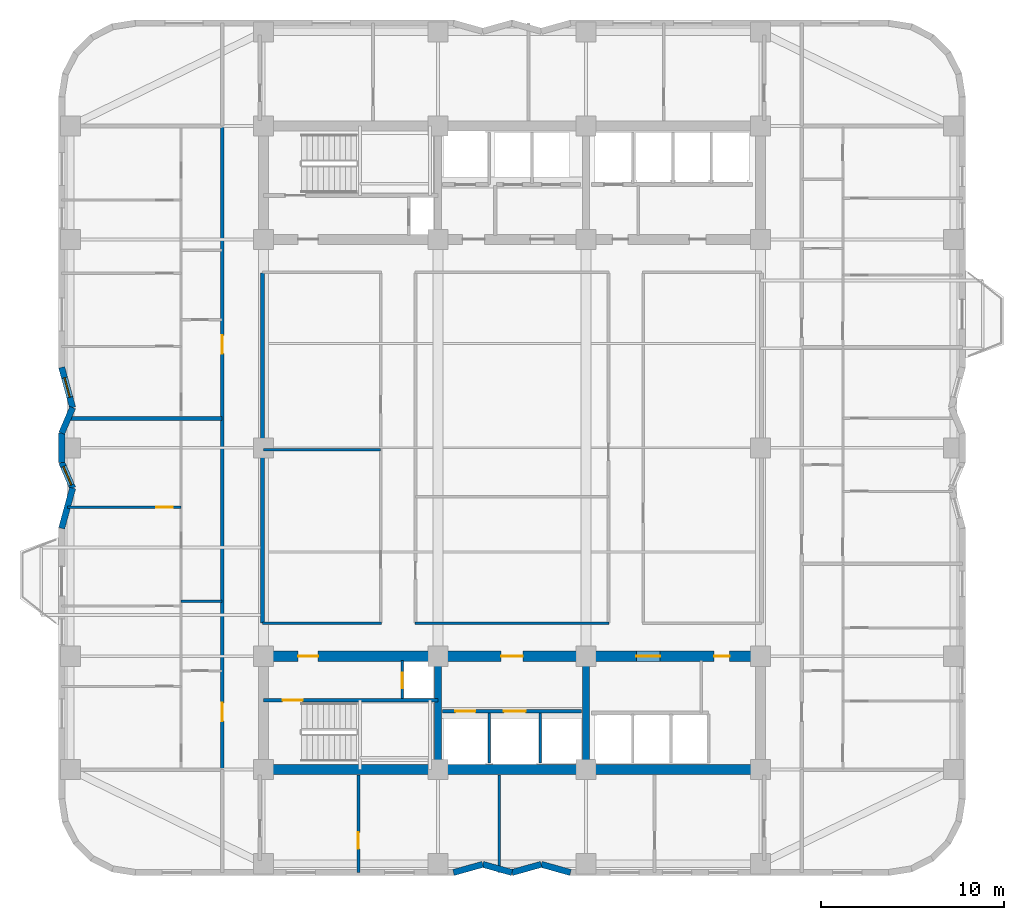
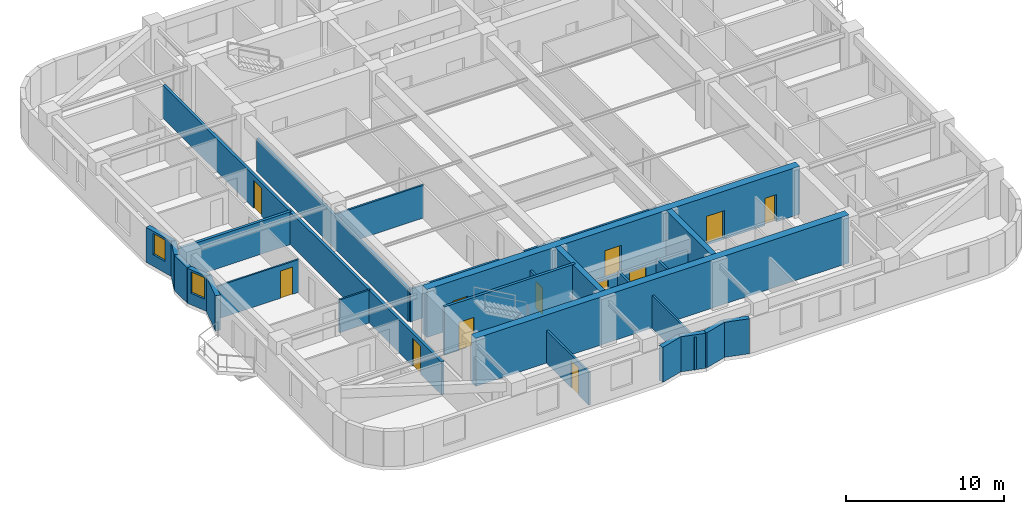
# One storey, part 3 of 9: 28 walls, 12 doors, 2 windows, 14 openings.
"""IFC4 building model written with IfcOpenShell, lengths in metres."""

from ifc_helpers import new_model, si_unit, direction, frame, frame_2d, origin, place, context, subcontext, project, spatial, rectangle, extrude, material, layer, layer_set, type_object, element, fill, save


model = new_model("IFC4")

# Units and contexts
model_context = context("Model", 3, precision=1e-05, world=origin(), true_north=direction((0.0, 1.0)))
body_context = subcontext(model_context, "Body", "Model", "MODEL_VIEW")
ifc_project = project(units=[si_unit("LENGTHUNIT", "METRE"), si_unit("AREAUNIT", "SQUARE_METRE"), si_unit("VOLUMEUNIT", "CUBIC_METRE"), si_unit("PLANEANGLEUNIT", "RADIAN"), si_unit("MASSUNIT", "GRAM", prefix="KILO")], contexts=[model_context])

# Site, building, storey
site_placement = place(None, origin())
site = spatial("IfcSite", under=ifc_project, at=site_placement, CompositionType="ELEMENT")
building_placement = place(site_placement, origin())
building = spatial("IfcBuilding", under=site, at=building_placement, Name="Svetorya Sky Lyceum", CompositionType="ELEMENT")
storey_placement = place(building_placement, frame((0.0, 0.0, 88.300048828125)))
storey = spatial("IfcBuildingStorey", under=building, at=storey_placement, Name="L21", CompositionType="ELEMENT", Elevation=88.300048828125)

# Walls
ifc_material_1 = material(Name="Concrete C40/50", Category="concrete")
ifc_layer_1 = layer(ifc_material_1, 0.39990234375)
ifc_layer_set_1 = layer_set([ifc_layer_1], Name="Concrete C40/50")
wall_type_1 = type_object("IfcWallType", Name="WL-CORE-400", PredefinedType="SHEAR", material=ifc_layer_set_1)
for number, where, z_axis, x_axis, name in (
    (1, (35.14990234375, 10.875, 0.0), (0.0, 0.0, 1.0), (0.0, 1.0, 0.0), "L21 SC Internal Shear Web WEB1"),
    (2, (43.25, 10.875, 0.0), (0.0, 0.0, 1.0), (0.0, 1.0, 0.0), "L21 SC Internal Shear Web WEB2"),
):
    element("IfcWall", number, at=place(storey_placement, frame(where, z_axis=z_axis, x_axis=x_axis)), inside=storey, type_object=wall_type_1, Name=name, PredefinedType="SHEAR", context=body_context, shape_type="SweptSolid", body=[
        extrude(rectangle(XDim=5.64990234375, YDim=0.39990234375, at=frame_2d((2.824951171875, 0.0))), origin(), (0.0, 0.0, 1.0), 3.699951171875),
    ])
ifc_material_2 = material(Name="Concrete C60/75", Category="concrete")
ifc_layer_2 = layer(ifc_material_2, 0.550048828125)
ifc_layer_set_2 = layer_set([ifc_layer_2], Name="Concrete C60/75")
wall_type_2 = type_object("IfcWallType", Name="WL-CORE-550", PredefinedType="SHEAR", material=ifc_layer_set_2)
wall_1_placement = place(storey_placement, frame((52.800048828125, 10.60009765625, 0.0), z_axis=(0.0, 0.0, 1.0), x_axis=(-1.0, 0.0, 0.0)))
element("IfcWall", 3, at=wall_1_placement, inside=storey, type_object=wall_type_2, Name="L21 SC Outer Core Shear Wall", PredefinedType="SHEAR", context=body_context, shape_type="SweptSolid", body=[
    extrude(rectangle(XDim=27.199951171875, YDim=0.550048828125, at=frame_2d((13.60009765625, 0.0))), origin(), (0.0, 0.0, 1.0), 3.699951171875),
])

# Wall, openings, doors
wall_2_placement = place(storey_placement, frame((25.60009765625, 16.800048828125, 0.0), z_axis=(0.0, 0.0, 1.0), x_axis=(1.0, 0.0, 0.0)))
wall_2 = element("IfcWall", 4, at=wall_2_placement, inside=storey, type_object=wall_type_2, Name="L21 SC Inner Core Shear Wall", PredefinedType="SHEAR", context=body_context, shape_type="SweptSolid", body=[
    extrude(rectangle(XDim=27.199951171875, YDim=0.550048828125, at=frame_2d((13.60009765625, 0.0))), origin(), (0.0, 0.0, 1.0), 3.699951171875),
])
opening_1_placement = place(wall_2_placement, frame((1.89990234375, 0.0, 0.0)))
opening_1 = element("IfcOpeningElement", 5, at=opening_1_placement, cuts=wall_2, Name="Opening D-ST1", PredefinedType="OPENING", context=body_context, shape_type="SweptSolid", body=[
    extrude(rectangle(XDim=1.10009765625, YDim=2.14990234375, at=frame_2d((0.550048828125, 1.074951171875))), frame((0.0, 0.284912109375, 0.0), z_axis=(0.0, -1.0, 0.0), x_axis=(1.0, 0.0, 0.0)), (0.0, 0.0, 1.0), 0.570068359375),
])
opening_2_placement = place(wall_2_placement, frame((13.0, 0.0, 0.0)))
opening_2 = element("IfcOpeningElement", 6, at=opening_2_placement, cuts=wall_2, Name="Opening D-FL1", PredefinedType="OPENING", context=body_context, shape_type="SweptSolid", body=[
    extrude(rectangle(XDim=1.199951171875, YDim=2.14990234375, at=frame_2d((0.60009765625, 1.074951171875))), frame((0.0, 0.284912109375, 0.0), z_axis=(0.0, -1.0, 0.0), x_axis=(1.0, 0.0, 0.0)), (0.0, 0.0, 1.0), 0.570068359375),
])
opening_3_placement = place(wall_2_placement, frame((20.39990234375, 0.0, 0.0)))
opening_3 = element("IfcOpeningElement", 7, at=opening_3_placement, cuts=wall_2, Name="Opening D-LB1", PredefinedType="OPENING", context=body_context, shape_type="SweptSolid", body=[
    extrude(rectangle(XDim=1.300048828125, YDim=2.199951171875, at=frame_2d((0.64990234375, 1.10009765625))), frame((0.0, 0.284912109375, 0.0), z_axis=(0.0, -1.0, 0.0), x_axis=(1.0, 0.0, 0.0)), (0.0, 0.0, 1.0), 0.570068359375),
])
opening_4_placement = place(wall_2_placement, frame((24.64990234375, 0.0, 0.0)))
opening_4 = element("IfcOpeningElement", 8, at=opening_4_placement, cuts=wall_2, Name="Opening D-CWC1", PredefinedType="OPENING", context=body_context, shape_type="SweptSolid", body=[
    extrude(rectangle(XDim=0.85009765625, YDim=2.10009765625, at=frame_2d((0.425048828125, 1.050048828125))), frame((0.0, 0.284912109375, 0.0), z_axis=(0.0, -1.0, 0.0), x_axis=(1.0, 0.0, 0.0)), (0.0, 0.0, 1.0), 0.570068359375),
])
ifc_material_3 = material(Name="Fire-rated galvanized steel core service closet door", Category="steel")
door_type_1 = type_object("IfcDoorType", Name="DR-CWET-850", OperationType="SINGLE_SWING_LEFT", PredefinedType="DOOR", material=ifc_material_3)
door_1_placement = place(opening_4_placement, origin())
door_1 = element("IfcDoor", 9, at=door_1_placement, inside=storey, type_object=door_type_1, Name="L21 South Core Auxiliary Door", OperationType="SINGLE_SWING_LEFT", OverallHeight=2.10009765625, OverallWidth=0.85009765625, PredefinedType="DOOR", context=body_context, shape_type="SweptSolid", body=[
    extrude(rectangle(XDim=0.85009765625, YDim=2.10009765625, at=frame_2d((0.425048828125, 1.050048828125))), frame((0.0, 0.02490234375, 0.0), z_axis=(0.0, -1.0, 0.0), x_axis=(1.0, 0.0, 0.0)), (0.0, 0.0, 1.0), 0.050048828125),
])
fill(opening_4, door_1)
ifc_material_4 = material(Name="Powder-coated insulated galvanized stair fire door")
door_type_2 = type_object("IfcDoorType", Name="DR-FIRE-1100", OperationType="SINGLE_SWING_LEFT", PredefinedType="DOOR", material=ifc_material_4)
door_2_placement = place(opening_1_placement, origin())
door_2 = element("IfcDoor", 10, at=door_2_placement, inside=storey, type_object=door_type_2, Name="L21 South Stair Airlock Door", OperationType="SINGLE_SWING_RIGHT", OverallHeight=2.14990234375, OverallWidth=1.10009765625, PredefinedType="DOOR", context=body_context, shape_type="SweptSolid", body=[
    extrude(rectangle(XDim=1.10009765625, YDim=2.14990234375, at=frame_2d((0.550048828125, 1.074951171875))), frame((0.0, 0.02490234375, 0.0), z_axis=(0.0, -1.0, 0.0), x_axis=(1.0, 0.0, 0.0)), (0.0, 0.0, 1.0), 0.050048828125),
])
fill(opening_1, door_2)
ifc_material_5 = material(Name="Powder-coated insulated galvanized fire door")
door_type_3 = type_object("IfcDoorType", Name="DR-FIRE-1200", OperationType="SINGLE_SWING_LEFT", PredefinedType="DOOR", material=ifc_material_5)
door_3_placement = place(opening_2_placement, origin())
door_3 = element("IfcDoor", 11, at=door_3_placement, inside=storey, type_object=door_type_3, Name="L21 South Firefighting Lift Lobby Door", OperationType="SINGLE_SWING_LEFT", OverallHeight=2.14990234375, OverallWidth=1.199951171875, PredefinedType="DOOR", context=body_context, shape_type="SweptSolid", body=[
    extrude(rectangle(XDim=1.199951171875, YDim=2.14990234375, at=frame_2d((0.60009765625, 1.074951171875))), frame((0.0, 0.02490234375, 0.0), z_axis=(0.0, -1.0, 0.0), x_axis=(1.0, 0.0, 0.0)), (0.0, 0.0, 1.0), 0.050048828125),
])
fill(opening_2, door_3)
ifc_material_6 = material(Name="Glazed fire-rated aluminium lobby door", Category="aluminium")
door_type_4 = type_object("IfcDoorType", Name="DR-LOB-1300", OperationType="SINGLE_SWING_LEFT", PredefinedType="DOOR", material=ifc_material_6)
door_4_placement = place(opening_3_placement, origin())
door_4 = element("IfcDoor", 12, at=door_4_placement, inside=storey, type_object=door_type_4, Name="L21 Low-Rise Lift Lobby Door", OperationType="SINGLE_SWING_RIGHT", OverallHeight=2.199951171875, OverallWidth=1.300048828125, PredefinedType="DOOR", context=body_context, shape_type="SweptSolid", body=[
    extrude(rectangle(XDim=1.300048828125, YDim=2.199951171875, at=frame_2d((0.64990234375, 1.10009765625))), frame((0.0, 0.02490234375, 0.0), z_axis=(0.0, -1.0, 0.0), x_axis=(1.0, 0.0, 0.0)), (0.0, 0.0, 1.0), 0.050048828125),
])
fill(opening_3, door_4)

# Walls
ifc_material_7 = material(Name="Putilovo limestone rainscreen on autoclaved cellular masonry", Category="masonry")
ifc_layer_3 = layer(ifc_material_7, 0.340087890625)
ifc_layer_set_3 = layer_set([ifc_layer_3], Name="Putilovo limestone rainscreen on autoclaved cellular masonry")
wall_type_3 = type_object("IfcWallType", Name="WL-EXT-340", PredefinedType="SOLIDWALL", material=ifc_layer_set_3)
wall_3_placement = place(storey_placement, frame((36.0, 4.969970703125, 0.0), z_axis=(0.0, 0.0, 1.0), x_axis=(0.962662902433, 0.270703040766, 0.0)))
element("IfcWall", 13, at=wall_3_placement, inside=storey, type_object=wall_type_3, Name="L21 Limestone Exterior Wall 7M", PredefinedType="SOLIDWALL", context=body_context, shape_type="SweptSolid", body=[
    extrude(rectangle(XDim=1.662109375, YDim=0.340087890625, at=frame_2d((0.8310546875, 0.0))), origin(), (0.0, 0.0, 1.0), 2.699951171875),
])
wall_4_placement = place(storey_placement, frame((37.60009765625, 5.419921875, 0.0), z_axis=(0.0, 0.0, 1.0), x_axis=(0.962652136636, -0.270741322725, 0.0)))
element("IfcWall", 14, at=wall_4_placement, inside=storey, type_object=wall_type_3, Name="L21 Limestone Exterior Wall 8M", PredefinedType="SOLIDWALL", context=body_context, shape_type="SweptSolid", body=[
    extrude(rectangle(XDim=1.661865234375, YDim=0.340087890625, at=frame_2d((0.8310546875, 0.0))), origin(), (0.0, 0.0, 1.0), 2.699951171875),
])
wall_5_placement = place(storey_placement, frame((39.199951171875, 4.969970703125, 0.0), z_axis=(0.0, 0.0, 1.0), x_axis=(0.962662902433, 0.270703040766, 0.0)))
element("IfcWall", 15, at=wall_5_placement, inside=storey, type_object=wall_type_3, Name="L21 Limestone Exterior Wall 9M", PredefinedType="SOLIDWALL", context=body_context, shape_type="SweptSolid", body=[
    extrude(rectangle(XDim=1.662109375, YDim=0.340087890625, at=frame_2d((0.8310546875, 0.0))), origin(), (0.0, 0.0, 1.0), 2.699951171875),
])
wall_6_placement = place(storey_placement, frame((40.800048828125, 5.419921875, 0.0), z_axis=(0.0, 0.0, 1.0), x_axis=(0.962652136636, -0.270741322725, 0.0)))
element("IfcWall", 16, at=wall_6_placement, inside=storey, type_object=wall_type_3, Name="L21 Limestone Exterior Wall 10M", PredefinedType="SOLIDWALL", context=body_context, shape_type="SweptSolid", body=[
    extrude(rectangle(XDim=1.661865234375, YDim=0.340087890625, at=frame_2d((0.8310546875, 0.0))), origin(), (0.0, 0.0, 1.0), 2.699951171875),
])

# Wall, opening, window
wall_7_placement = place(storey_placement, frame((14.570068359375, 32.60009765625, 0.0), z_axis=(0.0, 0.0, 1.0), x_axis=(0.263035877812, -0.96478605244, 0.0)))
wall_7 = element("IfcWall", 17, at=wall_7_placement, inside=storey, type_object=wall_type_3, Name="L21 Limestone Exterior Wall 41M", PredefinedType="SOLIDWALL", context=body_context, shape_type="SweptSolid", body=[
    extrude(rectangle(XDim=2.280517578125, YDim=0.340087890625, at=frame_2d((1.14013671875, 0.0))), origin(), (0.0, 0.0, 1.0), 2.699951171875),
])
opening_5_placement = place(wall_7_placement, frame((0.590087890625, 0.0, 0.889892578125)))
opening_5 = element("IfcOpeningElement", 18, at=opening_5_placement, cuts=wall_7, Name="Opening W-R3", PredefinedType="OPENING", context=body_context, shape_type="SweptSolid", body=[
    extrude(rectangle(XDim=1.10009765625, YDim=1.64990234375, at=frame_2d((0.550048828125, 0.824951171875))), frame((0.0, 0.179931640625, 0.0), z_axis=(0.0, -1.0, 0.0), x_axis=(1.0, 0.0, 0.0)), (0.0, 0.0, 1.0), 0.360107421875),
])
ifc_material_8 = material(Name="Thermally broken aluminium frame with triple low-E glazing", Category="aluminium")
window_type = type_object("IfcWindowType", Name="WN-RES-110", PartitioningType="SINGLE_PANEL", PredefinedType="WINDOW", material=ifc_material_8)
window_1_placement = place(opening_5_placement, origin())
window_1 = element("IfcWindow", 19, at=window_1_placement, inside=storey, type_object=window_type, Name="L21 Facade Window W-R3.41M.1", OverallHeight=1.64990234375, OverallWidth=1.10009765625, PartitioningType="SINGLE_PANEL", PredefinedType="WINDOW", context=body_context, shape_type="SweptSolid", body=[
    extrude(rectangle(XDim=1.10009765625, YDim=1.64990234375, at=frame_2d((0.550048828125, 0.824951171875))), frame((0.0, 0.030029296875, 0.0), z_axis=(0.0, -1.0, 0.0), x_axis=(1.0, 0.0, 0.0)), (0.0, 0.0, 1.0), 0.06005859375),
])
fill(opening_5, window_1)

# Walls
wall_8_placement = place(storey_placement, frame((15.169921875, 30.39990234375, 0.0), z_axis=(0.0, 0.0, 1.0), x_axis=(-0.393861257526, -0.919169902586, 0.0)))
element("IfcWall", 20, at=wall_8_placement, inside=storey, type_object=wall_type_3, Name="L21 Limestone Exterior Wall 42M", PredefinedType="SOLIDWALL", context=body_context, shape_type="SweptSolid", body=[
    extrude(rectangle(XDim=1.52294921875, YDim=0.340087890625, at=frame_2d((0.761474609375, 0.0))), origin(), (0.0, 0.0, 1.0), 2.699951171875),
])
wall_9_placement = place(storey_placement, frame((14.570068359375, 29.0, 0.0), z_axis=(0.0, 0.0, 1.0), x_axis=(0.0, -1.0, 0.0)))
element("IfcWall", 21, at=wall_9_placement, inside=storey, type_object=wall_type_3, Name="L21 Limestone Exterior Wall 43M", PredefinedType="SOLIDWALL", context=body_context, shape_type="SweptSolid", body=[
    extrude(rectangle(XDim=1.60009765625, YDim=0.340087890625, at=frame_2d((0.800048828125, 0.0))), origin(), (0.0, 0.0, 1.0), 2.699951171875),
])

# Wall, opening, window
wall_10_placement = place(storey_placement, frame((14.570068359375, 27.39990234375, 0.0), z_axis=(0.0, 0.0, 1.0), x_axis=(0.393861257526, -0.919169902586, 0.0)))
wall_10 = element("IfcWall", 22, at=wall_10_placement, inside=storey, type_object=wall_type_3, Name="L21 Limestone Exterior Wall 44M", PredefinedType="SOLIDWALL", context=body_context, shape_type="SweptSolid", body=[
    extrude(rectangle(XDim=1.52294921875, YDim=0.340087890625, at=frame_2d((0.761474609375, 0.0))), origin(), (0.0, 0.0, 1.0), 2.699951171875),
])
opening_6_placement = place(wall_10_placement, frame((0.239990234375, 0.0, 0.889892578125)))
opening_6 = element("IfcOpeningElement", 23, at=opening_6_placement, cuts=wall_10, Name="Opening W-R3", PredefinedType="OPENING", context=body_context, shape_type="SweptSolid", body=[
    extrude(rectangle(XDim=1.10009765625, YDim=1.64990234375, at=frame_2d((0.550048828125, 0.824951171875))), frame((0.0, 0.179931640625, 0.0), z_axis=(0.0, -1.0, 0.0), x_axis=(1.0, 0.0, 0.0)), (0.0, 0.0, 1.0), 0.360107421875),
])
window_2_placement = place(opening_6_placement, origin())
window_2 = element("IfcWindow", 24, at=window_2_placement, inside=storey, type_object=window_type, Name="L21 Facade Window W-R3.44M.1", OverallHeight=1.64990234375, OverallWidth=1.10009765625, PartitioningType="SINGLE_PANEL", PredefinedType="WINDOW", context=body_context, shape_type="SweptSolid", body=[
    extrude(rectangle(XDim=1.10009765625, YDim=1.64990234375, at=frame_2d((0.550048828125, 0.824951171875))), frame((0.0, 0.030029296875, 0.0), z_axis=(0.0, -1.0, 0.0), x_axis=(1.0, 0.0, 0.0)), (0.0, 0.0, 1.0), 0.06005859375),
])
fill(opening_6, window_2)

# Wall
wall_11_placement = place(storey_placement, frame((15.169921875, 26.0, 0.0), z_axis=(0.0, 0.0, 1.0), x_axis=(-0.2630630484, -0.964778644336, 0.0)))
element("IfcWall", 25, at=wall_11_placement, inside=storey, type_object=wall_type_3, Name="L21 Limestone Exterior Wall 45M", PredefinedType="SOLIDWALL", context=body_context, shape_type="SweptSolid", body=[
    extrude(rectangle(XDim=2.2802734375, YDim=0.340087890625, at=frame_2d((1.14013671875, 0.0))), origin(), (0.0, 0.0, 1.0), 2.699951171875),
])

# Wall, opening, door
ifc_material_9 = material(Name="Twin-stud galvanized framing with double fireboard", Category="gypsum")
ifc_layer_4 = layer(ifc_material_9, 0.1201171875)
ifc_layer_set_4 = layer_set([ifc_layer_4], Name="Twin-stud galvanized framing with double fireboard")
wall_type_4 = type_object("IfcWallType", Name="WL-PART-120", PredefinedType="PARTITIONING", material=ifc_layer_set_4)
wall_12_placement = place(storey_placement, frame((14.883544921875, 24.949951171875, 0.0), z_axis=(0.0, 0.0, 1.0), x_axis=(1.0, 0.0, 0.0)))
wall_12 = element("IfcWall", 26, at=wall_12_placement, inside=storey, type_object=wall_type_4, Name="L21 Interior Partition W1-WL3", PredefinedType="PARTITIONING", context=body_context, shape_type="SweptSolid", body=[
    extrude(rectangle(XDim=6.216552734375, YDim=0.1201171875, at=frame_2d((3.1083984375, 0.0))), origin(), (0.0, 0.0, 1.0), 2.530029296875),
])
opening_7_placement = place(wall_12_placement, frame((4.866455078125, 0.0, 0.0)))
opening_7 = element("IfcOpeningElement", 27, at=opening_7_placement, cuts=wall_12, Name="Opening D-RM1", PredefinedType="OPENING", context=body_context, shape_type="SweptSolid", body=[
    extrude(rectangle(XDim=0.89990234375, YDim=2.10009765625, at=frame_2d((0.449951171875, 1.050048828125))), frame((0.0, 0.070068359375, 0.0), z_axis=(0.0, -1.0, 0.0), x_axis=(1.0, 0.0, 0.0)), (0.0, 0.0, 1.0), 0.14013671875),
])
ifc_material_10 = material(Name="Lacquered birch veneer internal door")
door_type_5 = type_object("IfcDoorType", Name="DR-INT-900", OperationType="SINGLE_SWING_LEFT", PredefinedType="DOOR", material=ifc_material_10)
door_5_placement = place(opening_7_placement, origin())
door_5 = element("IfcDoor", 28, at=door_5_placement, inside=storey, type_object=door_type_5, Name="Apartment W1 Bedroom 3 Door", OperationType="SINGLE_SWING_LEFT", OverallHeight=2.10009765625, OverallWidth=0.89990234375, PredefinedType="DOOR", context=body_context, shape_type="SweptSolid", body=[
    extrude(rectangle(XDim=0.89990234375, YDim=2.10009765625, at=frame_2d((0.449951171875, 1.050048828125))), frame((0.0, 0.02490234375, 0.0), z_axis=(0.0, -1.0, 0.0), x_axis=(1.0, 0.0, 0.0)), (0.0, 0.0, 1.0), 0.050048828125),
])
fill(opening_7, door_5)

# Walls
ifc_material_11 = material(Name="Twin-stud galvanized framing with acoustic board", Category="gypsum")
ifc_layer_5 = layer(ifc_material_11, 0.135009765625)
ifc_layer_set_5 = layer_set([ifc_layer_5], Name="Twin-stud galvanized framing with acoustic board")
wall_type_5 = type_object("IfcWallType", Name="WL-PART-135", PredefinedType="PARTITIONING", material=ifc_layer_set_5)
wall_13_placement = place(storey_placement, frame((25.60009765625, 28.10009765625, 0.0), z_axis=(0.0, 0.0, 1.0), x_axis=(1.0, 0.0, 0.0)))
element("IfcWall", 29, at=wall_13_placement, inside=storey, type_object=wall_type_5, Name="L21 Interior Partition ISL-HMW", PredefinedType="PARTITIONING", context=body_context, shape_type="SweptSolid", body=[
    extrude(rectangle(XDim=6.419921875, YDim=0.135009765625, at=frame_2d((3.2099609375, 0.0))), origin(), (0.0, 0.0, 1.0), 2.530029296875),
])
wall_14_placement = place(storey_placement, frame((21.10009765625, 19.800048828125, 0.0), z_axis=(0.0, 0.0, 1.0), x_axis=(1.0, 0.0, 0.0)))
element("IfcWall", 30, at=wall_14_placement, inside=storey, type_object=wall_type_5, Name="L21 Interior Partition W1-WH2", PredefinedType="PARTITIONING", context=body_context, shape_type="SweptSolid", body=[
    extrude(rectangle(XDim=2.25, YDim=0.135009765625, at=frame_2d((1.125, 0.0))), origin(), (0.0, 0.0, 1.0), 2.530029296875),
])

# Wall, opening, door
ifc_material_12 = material(Name="Autoclaved cellular masonry blockwork with acoustic render", Category="masonry")
ifc_layer_6 = layer(ifc_material_12, 0.14990234375)
ifc_layer_set_6 = layer_set([ifc_layer_6], Name="Autoclaved cellular masonry blockwork with acoustic render")
wall_type_6 = type_object("IfcWallType", Name="WL-PART-150", PredefinedType="PARTITIONING", material=ifc_layer_set_6)
wall_15_placement = place(storey_placement, frame((33.199951171875, 14.5, 0.0), z_axis=(0.0, 0.0, 1.0), x_axis=(0.0, 1.0, 0.0)))
wall_15 = element("IfcWall", 31, at=wall_15_placement, inside=storey, type_object=wall_type_6, Name="L21 Interior Partition SC-AIRDIV", PredefinedType="PARTITIONING", context=body_context, shape_type="SweptSolid", body=[
    extrude(rectangle(XDim=2.080078125, YDim=0.14990234375, at=frame_2d((1.0400390625, 0.0))), origin(), (0.0, 0.0, 1.0), 2.530029296875),
])
opening_8_placement = place(wall_15_placement, frame((0.550048828125, 0.0, 0.0)))
opening_8 = element("IfcOpeningElement", 32, at=opening_8_placement, cuts=wall_15, Name="Opening D-SH1", PredefinedType="OPENING", context=body_context, shape_type="SweptSolid", body=[
    extrude(rectangle(XDim=0.85009765625, YDim=2.050048828125, at=frame_2d((0.425048828125, 1.02490234375))), frame((0.0, 0.0849609375, 0.0), z_axis=(0.0, -1.0, 0.0), x_axis=(1.0, 0.0, 0.0)), (0.0, 0.0, 1.0), 0.169921875),
])
ifc_material_13 = material(Name="Insulated galvanized riser inspection fire door")
door_type_6 = type_object("IfcDoorType", Name="DR-SHFT-850", OperationType="SINGLE_SWING_LEFT", PredefinedType="TRAPDOOR", material=ifc_material_13)
door_6_placement = place(opening_8_placement, origin())
door_6 = element("IfcDoor", 33, at=door_6_placement, inside=storey, type_object=door_type_6, Name="L21 South Riser Access Door", OperationType="SINGLE_SWING_RIGHT", OverallHeight=2.050048828125, OverallWidth=0.85009765625, PredefinedType="TRAPDOOR", context=body_context, shape_type="SweptSolid", body=[
    extrude(rectangle(XDim=0.85009765625, YDim=2.050048828125, at=frame_2d((0.425048828125, 1.02490234375))), frame((0.0, 0.02490234375, 0.0), z_axis=(0.0, -1.0, 0.0), x_axis=(1.0, 0.0, 0.0)), (0.0, 0.0, 1.0), 0.050048828125),
])
fill(opening_8, door_6)

# Walls
for number, where, z_axis, x_axis, name in (
    (34, (37.949951171875, 10.949951171875, 0.0), (0.0, 0.0, 1.0), (0.0, 1.0, 0.0), "L21 Interior Partition SC-SHD1"),
    (35, (40.75, 10.949951171875, 0.0), (0.0, 0.0, 1.0), (0.0, 1.0, 0.0), "L21 Interior Partition SC-SHD2"),
):
    element("IfcWall", number, at=place(storey_placement, frame(where, z_axis=z_axis, x_axis=x_axis)), inside=storey, type_object=wall_type_6, Name=name, PredefinedType="PARTITIONING", context=body_context, shape_type="SweptSolid", body=[
        extrude(rectangle(XDim=2.75, YDim=0.14990234375, at=frame_2d((1.375, 0.0))), origin(), (0.0, 0.0, 1.0), 2.530029296875),
    ])
wall_16_placement = place(storey_placement, frame((25.550048828125, 18.60009765625, 0.0), z_axis=(0.0, 0.0, 1.0), x_axis=(1.0, 0.0, 0.0)))
element("IfcWall", 36, at=wall_16_placement, inside=storey, type_object=wall_type_6, Name="L21 Interior Partition RL-CS-W", PredefinedType="PARTITIONING", context=body_context, shape_type="SweptSolid", body=[
    extrude(rectangle(XDim=6.5, YDim=0.14990234375, at=frame_2d((3.25, 0.0))), origin(), (0.0, 0.0, 1.0), 2.530029296875),
])
wall_17_placement = place(storey_placement, frame((33.89990234375, 18.60009765625, 0.0), z_axis=(0.0, 0.0, 1.0), x_axis=(1.0, 0.0, 0.0)))
element("IfcWall", 37, at=wall_17_placement, inside=storey, type_object=wall_type_6, Name="L21 Interior Partition RL-CS-M", PredefinedType="PARTITIONING", context=body_context, shape_type="SweptSolid", body=[
    extrude(rectangle(XDim=10.60009765625, YDim=0.14990234375, at=frame_2d((5.300048828125, 0.0))), origin(), (0.0, 0.0, 1.0), 2.530029296875),
])

# Wall, opening, door
wall_18_placement = place(storey_placement, frame((30.800048828125, 4.969970703125, 0.0), z_axis=(0.0, 0.0, 1.0), x_axis=(0.0, 1.0, 0.0)))
wall_18 = element("IfcWall", 38, at=wall_18_placement, inside=storey, type_object=wall_type_6, Name="L21 Interior Partition S4-D1", PredefinedType="PARTITIONING", context=body_context, shape_type="SweptSolid", body=[
    extrude(rectangle(XDim=5.330078125, YDim=0.14990234375, at=frame_2d((2.6650390625, 0.0))), origin(), (0.0, 0.0, 1.0), 2.530029296875),
])
opening_9_placement = place(wall_18_placement, frame((1.300048828125, 0.0, 0.0)))
opening_9 = element("IfcOpeningElement", 39, at=opening_9_placement, cuts=wall_18, Name="Opening D-RM1", PredefinedType="OPENING", context=body_context, shape_type="SweptSolid", body=[
    extrude(rectangle(XDim=0.89990234375, YDim=2.10009765625, at=frame_2d((0.449951171875, 1.050048828125))), frame((0.0, 0.0849609375, 0.0), z_axis=(0.0, -1.0, 0.0), x_axis=(1.0, 0.0, 0.0)), (0.0, 0.0, 1.0), 0.169921875),
])
door_7_placement = place(opening_9_placement, origin())
door_7 = element("IfcDoor", 40, at=door_7_placement, inside=storey, type_object=door_type_5, Name="L21 South Suite Door 1", OperationType="SINGLE_SWING_LEFT", OverallHeight=2.10009765625, OverallWidth=0.89990234375, PredefinedType="DOOR", context=body_context, shape_type="SweptSolid", body=[
    extrude(rectangle(XDim=0.89990234375, YDim=2.10009765625, at=frame_2d((0.449951171875, 1.050048828125))), frame((0.0, 0.02490234375, 0.0), z_axis=(0.0, -1.0, 0.0), x_axis=(1.0, 0.0, 0.0)), (0.0, 0.0, 1.0), 0.050048828125),
])
fill(opening_9, door_7)

# Wall
wall_19_placement = place(storey_placement, frame((38.5, 4.969970703125, 0.0), z_axis=(0.0, 0.0, 1.0), x_axis=(0.0, 1.0, 0.0)))
element("IfcWall", 41, at=wall_19_placement, inside=storey, type_object=wall_type_6, Name="L21 Interior Partition S4-D2", PredefinedType="PARTITIONING", context=body_context, shape_type="SweptSolid", body=[
    extrude(rectangle(XDim=5.330078125, YDim=0.14990234375, at=frame_2d((2.6650390625, 0.0))), origin(), (0.0, 0.0, 1.0), 2.530029296875),
])

# Wall, openings, doors
ifc_material_14 = material(Name="Autoclaved cellular masonry blockwork with gypsum plaster", Category="masonry")
ifc_layer_7 = layer(ifc_material_14, 0.199951171875)
ifc_layer_set_7 = layer_set([ifc_layer_7], Name="Autoclaved cellular masonry blockwork with gypsum plaster")
wall_type_7 = type_object("IfcWallType", Name="WL-PART-200", PredefinedType="PARTITIONING", material=ifc_layer_set_7)
wall_20_placement = place(storey_placement, frame((35.39990234375, 13.800048828125, 0.0), z_axis=(0.0, 0.0, 1.0), x_axis=(1.0, 0.0, 0.0)))
wall_20 = element("IfcWall", 42, at=wall_20_placement, inside=storey, type_object=wall_type_7, Name="L21 Interior Partition SC-FLW", PredefinedType="PARTITIONING", context=body_context, shape_type="SweptSolid", body=[
    extrude(rectangle(XDim=7.60009765625, YDim=0.199951171875, at=frame_2d((3.800048828125, 0.0))), origin(), (0.0, 0.0, 1.0), 2.300048828125),
])
opening_10_placement = place(wall_20_placement, frame((0.699951171875, 0.0, 0.0)))
opening_10 = element("IfcOpeningElement", 43, at=opening_10_placement, cuts=wall_20, Name="Opening LD-FL", PredefinedType="OPENING", context=body_context, shape_type="SweptSolid", body=[
    extrude(rectangle(XDim=1.10009765625, YDim=2.14990234375, at=frame_2d((0.550048828125, 1.074951171875))), frame((0.0, 0.10986328125, 0.0), z_axis=(0.0, -1.0, 0.0), x_axis=(1.0, 0.0, 0.0)), (0.0, 0.0, 1.0), 0.219970703125),
])
opening_11_placement = place(wall_20_placement, frame((3.35009765625, 0.0, 0.0)))
opening_11 = element("IfcOpeningElement", 44, at=opening_11_placement, cuts=wall_20, Name="Opening LD-SV", PredefinedType="OPENING", context=body_context, shape_type="SweptSolid", body=[
    extrude(rectangle(XDim=1.199951171875, YDim=2.14990234375, at=frame_2d((0.60009765625, 1.074951171875))), frame((0.0, 0.10986328125, 0.0), z_axis=(0.0, -1.0, 0.0), x_axis=(1.0, 0.0, 0.0)), (0.0, 0.0, 1.0), 0.219970703125),
])
ifc_material_15 = material(Name="Fire-rated stainless AISI 304 firefighting lift landing door")
door_type_7 = type_object("IfcDoorType", Name="DR-LIFT-1100", OperationType="SLIDING_TO_LEFT", PredefinedType="DOOR", material=ifc_material_15)
door_8_placement = place(opening_10_placement, origin())
door_8 = element("IfcDoor", 45, at=door_8_placement, inside=storey, type_object=door_type_7, Name="L21 Firefighting Lift FL2 Landing Door", OperationType="SLIDING_TO_LEFT", OverallHeight=2.14990234375, OverallWidth=1.10009765625, PredefinedType="DOOR", context=body_context, shape_type="SweptSolid", body=[
    extrude(rectangle(XDim=1.10009765625, YDim=2.14990234375, at=frame_2d((0.550048828125, 1.074951171875))), frame((0.0, 0.02490234375, 0.0), z_axis=(0.0, -1.0, 0.0), x_axis=(1.0, 0.0, 0.0)), (0.0, 0.0, 1.0), 0.050048828125),
])
fill(opening_10, door_8)
ifc_material_16 = material(Name="Brushed stainless AISI 304 telescopic lift landing door")
door_type_8 = type_object("IfcDoorType", Name="DR-LIFT-1200", OperationType="SLIDING_TO_LEFT", PredefinedType="DOOR", material=ifc_material_16)
door_9_placement = place(opening_11_placement, origin())
door_9 = element("IfcDoor", 46, at=door_9_placement, inside=storey, type_object=door_type_8, Name="L21 Service Lift SVL1 Landing Door", OperationType="SLIDING_TO_LEFT", OverallHeight=2.14990234375, OverallWidth=1.199951171875, PredefinedType="DOOR", context=body_context, shape_type="SweptSolid", body=[
    extrude(rectangle(XDim=1.199951171875, YDim=2.14990234375, at=frame_2d((0.60009765625, 1.074951171875))), frame((0.0, 0.02490234375, 0.0), z_axis=(0.0, -1.0, 0.0), x_axis=(1.0, 0.0, 0.0)), (0.0, 0.0, 1.0), 0.050048828125),
])
fill(opening_11, door_9)

# Walls
wall_21_placement = place(storey_placement, frame((25.550048828125, 18.6298828125, 0.0), z_axis=(0.0, 0.0, 1.0), x_axis=(0.0, 1.0, 0.0)))
element("IfcWall", 47, at=wall_21_placement, inside=storey, type_object=wall_type_7, Name="L21 Interior Partition W-CEN-SEP", PredefinedType="PARTITIONING", context=body_context, shape_type="SweptSolid", body=[
    extrude(rectangle(XDim=19.14013671875, YDim=0.199951171875, at=frame_2d((9.570068359375, 0.0))), origin(), (0.0, 0.0, 1.0), 2.530029296875),
])
wall_22_placement = place(storey_placement, frame((14.912841796875, 29.800048828125, 0.0), z_axis=(0.0, 0.0, 1.0), x_axis=(1.0, 0.0, 0.0)))
element("IfcWall", 48, at=wall_22_placement, inside=storey, type_object=wall_type_7, Name="L21 Interior Partition W-PARTY-1", PredefinedType="PARTITIONING", context=body_context, shape_type="SweptSolid", body=[
    extrude(rectangle(XDim=8.437255859375, YDim=0.199951171875, at=frame_2d((4.21875, 0.0))), origin(), (0.0, 0.0, 1.0), 2.530029296875),
])

# Wall, openings, doors
wall_23_placement = place(storey_placement, frame((23.35009765625, 10.60009765625, 0.0), z_axis=(0.0, 0.0, 1.0), x_axis=(0.0, 1.0, 0.0)))
wall_23 = element("IfcWall", 49, at=wall_23_placement, inside=storey, type_object=wall_type_7, Name="L21 Interior Partition W-CORRW", PredefinedType="PARTITIONING", context=body_context, shape_type="SweptSolid", body=[
    extrude(rectangle(XDim=35.199951171875, YDim=0.199951171875, at=frame_2d((17.60009765625, 0.0))), origin(), (0.0, 0.0, 1.0), 2.530029296875),
])
opening_12_placement = place(wall_23_placement, frame((2.64990234375, 0.0, 0.0)))
opening_12 = element("IfcOpeningElement", 50, at=opening_12_placement, cuts=wall_23, Name="Opening D-APT1", PredefinedType="OPENING", context=body_context, shape_type="SweptSolid", body=[
    extrude(rectangle(XDim=1.0, YDim=2.14990234375, at=frame_2d((0.5, 1.074951171875))), frame((0.0, 0.10986328125, 0.0), z_axis=(0.0, -1.0, 0.0), x_axis=(1.0, 0.0, 0.0)), (0.0, 0.0, 1.0), 0.219970703125),
])
opening_13_placement = place(wall_23_placement, frame((22.75, 0.0, 0.0)))
opening_13 = element("IfcOpeningElement", 51, at=opening_13_placement, cuts=wall_23, Name="Opening D-APT1", PredefinedType="OPENING", context=body_context, shape_type="SweptSolid", body=[
    extrude(rectangle(XDim=1.0, YDim=2.14990234375, at=frame_2d((0.5, 1.074951171875))), frame((0.0, 0.10986328125, 0.0), z_axis=(0.0, -1.0, 0.0), x_axis=(1.0, 0.0, 0.0)), (0.0, 0.0, 1.0), 0.219970703125),
])
ifc_material_17 = material(Name="Insulated oak-veneered apartment entrance door")
door_type_9 = type_object("IfcDoorType", Name="DR-APT-1000", OperationType="SINGLE_SWING_LEFT", PredefinedType="DOOR", material=ifc_material_17)
door_10_placement = place(opening_12_placement, origin())
door_10 = element("IfcDoor", 52, at=door_10_placement, inside=storey, type_object=door_type_9, Name="L21 Apartment W1 Entrance Door", OperationType="SINGLE_SWING_LEFT", OverallHeight=2.14990234375, OverallWidth=1.0, PredefinedType="DOOR", context=body_context, shape_type="SweptSolid", body=[
    extrude(rectangle(XDim=1.0, YDim=2.14990234375, at=frame_2d((0.5, 1.074951171875))), frame((0.0, 0.02490234375, 0.0), z_axis=(0.0, -1.0, 0.0), x_axis=(1.0, 0.0, 0.0)), (0.0, 0.0, 1.0), 0.050048828125),
])
fill(opening_12, door_10)
door_11_placement = place(opening_13_placement, origin())
door_11 = element("IfcDoor", 53, at=door_11_placement, inside=storey, type_object=door_type_9, Name="L21 Apartment W2 Entrance Door", OperationType="SINGLE_SWING_RIGHT", OverallHeight=2.14990234375, OverallWidth=1.0, PredefinedType="DOOR", context=body_context, shape_type="SweptSolid", body=[
    extrude(rectangle(XDim=1.0, YDim=2.14990234375, at=frame_2d((0.5, 1.074951171875))), frame((0.0, 0.02490234375, 0.0), z_axis=(0.0, -1.0, 0.0), x_axis=(1.0, 0.0, 0.0)), (0.0, 0.0, 1.0), 0.050048828125),
])
fill(opening_13, door_11)

# Wall, opening, door
ifc_material_18 = material(Name="Concrete C50/60", Category="concrete")
ifc_layer_8 = layer(ifc_material_18, 0.199951171875)
ifc_layer_set_8 = layer_set([ifc_layer_8], Name="Concrete C50/60")
wall_type_8 = type_object("IfcWallType", Name="WL-SHW-200", PredefinedType="SHEAR", material=ifc_layer_set_8)
wall_24_placement = place(storey_placement, frame((25.60009765625, 14.39990234375, 0.0), z_axis=(0.0, 0.0, 1.0), x_axis=(1.0, 0.0, 0.0)))
wall_24 = element("IfcWall", 54, at=wall_24_placement, inside=storey, type_object=wall_type_8, Name="L21 Structural Stair Shaft Wall SC-STW", PredefinedType="SHEAR", context=body_context, shape_type="SweptSolid", body=[
    extrude(rectangle(XDim=9.5498046875, YDim=0.199951171875, at=frame_2d((4.77490234375, 0.0))), origin(), (0.0, 0.0, 1.0), 3.699951171875),
])
opening_14_placement = place(wall_24_placement, frame((1.050048828125, 0.0, 0.0)))
opening_14 = element("IfcOpeningElement", 55, at=opening_14_placement, cuts=wall_24, Name="Opening D-ST1", PredefinedType="OPENING", context=body_context, shape_type="SweptSolid", body=[
    extrude(rectangle(XDim=1.10009765625, YDim=2.14990234375, at=frame_2d((0.550048828125, 1.074951171875))), frame((0.0, 0.10986328125, 0.0), z_axis=(0.0, -1.0, 0.0), x_axis=(1.0, 0.0, 0.0)), (0.0, 0.0, 1.0), 0.219970703125),
])
door_12_placement = place(opening_14_placement, origin())
door_12 = element("IfcDoor", 56, at=door_12_placement, inside=storey, type_object=door_type_2, Name="L21 Stair ST-S Vestibule Fire Door", OperationType="SINGLE_SWING_LEFT", OverallHeight=2.14990234375, OverallWidth=1.10009765625, PredefinedType="DOOR", context=body_context, shape_type="SweptSolid", body=[
    extrude(rectangle(XDim=1.10009765625, YDim=2.14990234375, at=frame_2d((0.550048828125, 1.074951171875))), frame((0.0, 0.02490234375, 0.0), z_axis=(0.0, -1.0, 0.0), x_axis=(1.0, 0.0, 0.0)), (0.0, 0.0, 1.0), 0.050048828125),
])
fill(opening_14, door_12)

save(model, "model.ifc")
